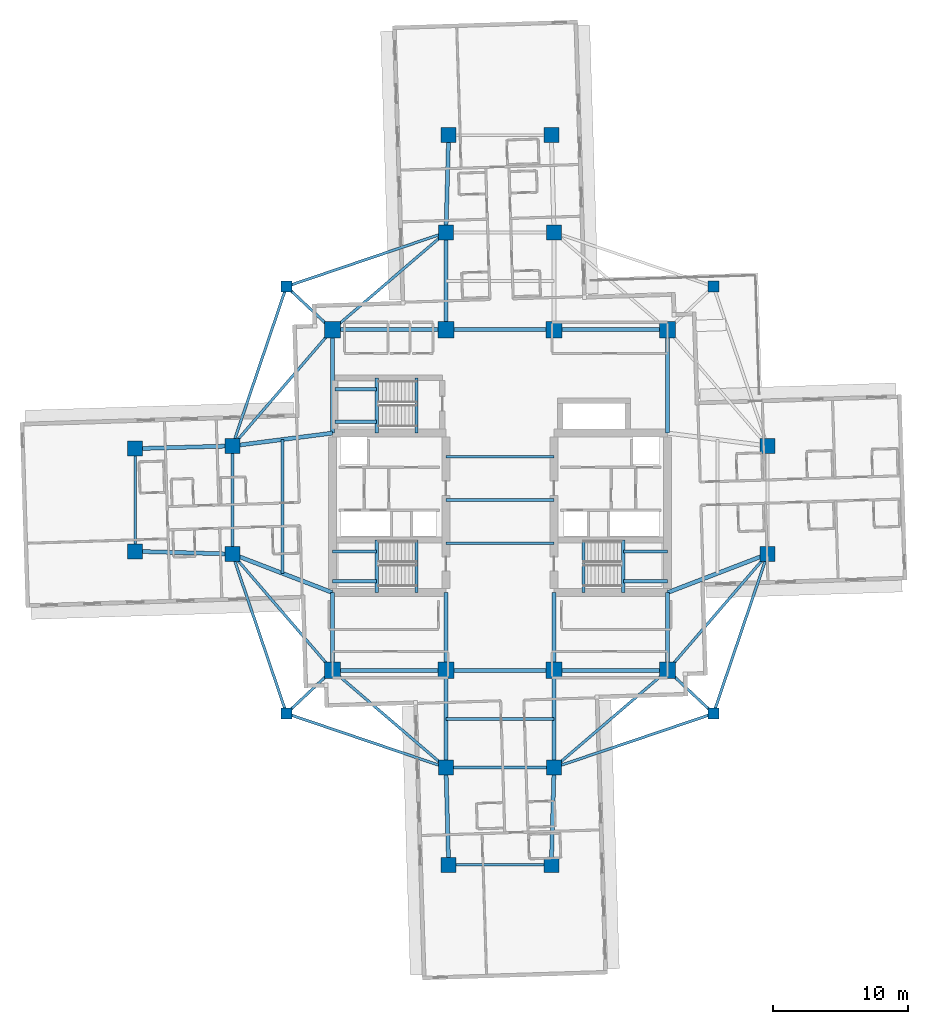
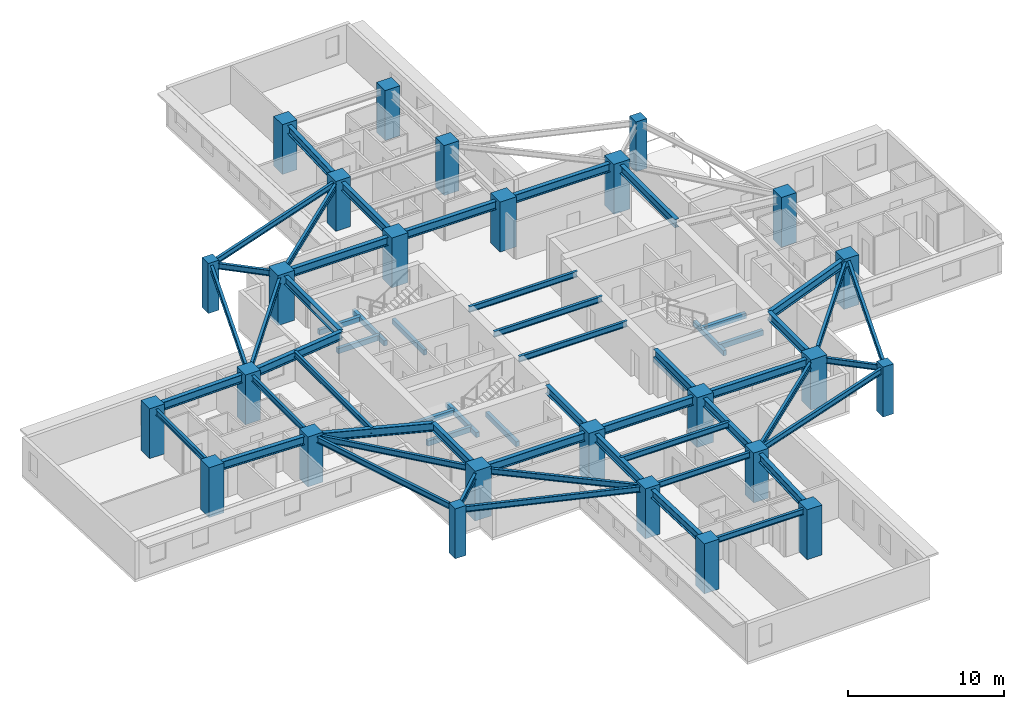
# One storey, part 1 of 14: 59 beams, 26 columns.
"""IFC4 building model written with IfcOpenShell, lengths in metres."""

import ifcopenshell
import ifcopenshell.guid

model = None  # the IFC model being written
_history = None  # IfcOwnerHistory: only IFC2X3 demands one
_inside = {}  # id of a spatial element -> (the spatial element, [elements in it])
_under = {}  # id of a project, library or spatial element -> (it, [spatial elements below it])
_declared = {}  # id of a project -> (the project, [libraries it declares])
_typed = {}  # id of a type object -> (the type object, [elements of that type])
_made_of = {}  # id of a material, layer set ... -> (it, [elements and type objects made of it])


def new_model(schema):
    """Start an empty IFC model of exactly this schema.

    Asked for "IFC4X3", IfcOpenShell would pick the latest addendum, in which some entities
    have other attributes; the version numbers below select the first issue.
    IFC2X3 requires an IfcOwnerHistory on every rooted entity: one is made here for all.
    """
    global model, _history
    if schema == "IFC4X3":
        model = ifcopenshell.file(schema_version=(4, 3, 0, 0))
    else:
        model = ifcopenshell.file(schema=schema)
    _inside.clear()
    _under.clear()
    _declared.clear()
    _typed.clear()
    _made_of.clear()
    _history = None
    if model.schema == "IFC2X3":
        org = make("IfcOrganization", Name="unknown")
        user = make(
            "IfcPersonAndOrganization",
            ThePerson=make("IfcPerson", FamilyName="unknown"),
            TheOrganization=org,
        )
        app = make(
            "IfcApplication",
            ApplicationDeveloper=org,
            Version="unknown",
            ApplicationFullName="unknown",
            ApplicationIdentifier="unknown",
        )
        _history = make(
            "IfcOwnerHistory",
            OwningUser=user,
            OwningApplication=app,
            ChangeAction="ADDED",
            CreationDate=0,
        )
    return model


def make(cls, **values):
    """One entity of the class cls with the attributes given. An attribute that is None is left unset."""
    return model.create_entity(
        cls, **{name: value for name, value in values.items() if value is not None}
    )


def rooted(cls, **values):
    """An entity with a GlobalId (a new one), such as an element, a storey or a relation."""
    return make(cls, GlobalId=ifcopenshell.guid.new(), OwnerHistory=_history, **values)


def si_unit(unit_type, name, prefix=None):
    """IfcSIUnit, for example si_unit("LENGTHUNIT", "METRE", prefix="MILLI")."""
    return make("IfcSIUnit", UnitType=unit_type, Prefix=prefix, Name=name)


def assignment(units):
    """IfcUnitAssignment: the units of a project."""
    return None if units is None else make("IfcUnitAssignment", Units=units)


def point(xyz):
    """IfcCartesianPoint."""
    return None if xyz is None else make("IfcCartesianPoint", Coordinates=xyz)


def direction(xyz):
    """IfcDirection."""
    return None if xyz is None else make("IfcDirection", DirectionRatios=xyz)


def frame(location, z_axis=None, x_axis=None):
    """IfcAxis2Placement3D, a coordinate frame: its origin and axes. An axis left out is left unset."""
    return make(
        "IfcAxis2Placement3D",
        Location=point(location),
        Axis=direction(z_axis),
        RefDirection=direction(x_axis),
    )


def frame_2d(location, x_axis=None):
    """IfcAxis2Placement2D, a coordinate frame in the plane: its origin and x axis."""
    return make(
        "IfcAxis2Placement2D", Location=point(location), RefDirection=direction(x_axis)
    )


def origin():
    """The frame at (0, 0, 0) with its axes left unset."""
    return frame((0.0, 0.0, 0.0))


def origin_2d():
    """The frame at (0, 0) in the plane with its x axis left unset."""
    return frame_2d((0.0, 0.0))


def place(relative_to, where):
    """IfcLocalPlacement: puts the frame where relative to a parent placement (None: the world)."""
    return make(
        "IfcLocalPlacement", PlacementRelTo=relative_to, RelativePlacement=where
    )


def context(
    kind, dimensions, precision=None, world=None, true_north=None, identifier=None
):
    """IfcGeometricRepresentationContext, for example the 3D "Model" context."""
    return make(
        "IfcGeometricRepresentationContext",
        ContextIdentifier=identifier,
        ContextType=kind,
        CoordinateSpaceDimension=dimensions,
        Precision=precision,
        WorldCoordinateSystem=world,
        TrueNorth=true_north,
    )


def subcontext(parent, identifier, kind, view, scale=None):
    """IfcGeometricRepresentationSubContext, for example "Body" below "Model"."""
    return make(
        "IfcGeometricRepresentationSubContext",
        ContextIdentifier=identifier,
        ContextType=kind,
        ParentContext=parent,
        TargetScale=scale,
        TargetView=view,
    )


def project(units=None, contexts=None):
    """IfcProject with its units and contexts."""
    return rooted(
        "IfcProject",
        Name="project",
        RepresentationContexts=contexts,
        UnitsInContext=assignment(units),
    )


def spatial(cls, under=None, at=None, **own):
    """A site, building, storey or space (cls), placed at a placement, below another one or the project."""
    s = rooted(cls, ObjectPlacement=at, **own)
    if under is not None:
        _under.setdefault(under.id(), (under, []))[1].append(s)
    return s


def profile(cls, at=None, kind="AREA", **sizes):
    """A parametric profile (cls). Its sizes go by their IFC names, for example OverallWidth=200.0."""
    return make(cls, ProfileType=kind, Position=at, **sizes)


def rectangle(**sizes):
    """IfcRectangleProfileDef."""
    return profile("IfcRectangleProfileDef", **sizes)


def i_section(**sizes):
    """IfcIShapeProfileDef."""
    return profile("IfcIShapeProfileDef", **sizes)


def extrude(swept, where, along, depth):
    """IfcExtrudedAreaSolid: the profile swept, set in the frame where, extruded along a direction by depth."""
    return make(
        "IfcExtrudedAreaSolid",
        SweptArea=swept,
        Position=where,
        ExtrudedDirection=direction(along),
        Depth=depth,
    )


def shape(context_of_items, identifier, shape_type, items):
    """IfcShapeRepresentation: the items that make up one representation, for example the "Body"."""
    return make(
        "IfcShapeRepresentation",
        ContextOfItems=context_of_items,
        RepresentationIdentifier=identifier,
        RepresentationType=shape_type,
        Items=items,
    )


def material(Name=None, Category=None):
    """IfcMaterial."""
    return make("IfcMaterial", Name=Name, Category=Category)


def material_profile(
    of_material, cross_section, Name=None, Category=None, Priority=None
):
    """IfcMaterialProfile: a cross section and its material."""
    return make(
        "IfcMaterialProfile",
        Name=Name,
        Material=of_material,
        Profile=cross_section,
        Priority=Priority,
        Category=Category,
    )


def profile_set(profiles, Name=None, composite=None):
    """IfcMaterialProfileSet."""
    return make(
        "IfcMaterialProfileSet",
        Name=Name,
        MaterialProfiles=profiles,
        CompositeProfile=composite,
    )


def made_of(thing, what):
    """Note that an element or type object is made of a material, layer set ...; save() writes the relation."""
    if what is not None:
        _made_of.setdefault(what.id(), (what, []))[1].append(thing)
    return thing


def type_object(cls, material=None, **own):
    """A type object (cls), such as IfcWallType, which elements share."""
    return made_of(rooted(cls, **own), material)


def element(
    cls,
    number,
    at=None,
    inside=None,
    cuts=None,
    type_object=None,
    material=None,
    context=None,
    identifier="Body",
    shape_type=None,
    held_by="IfcProductDefinitionShape",
    body=None,
    shapes=None,
    **own,
):
    """One element of the class cls, such as IfcWall. Its Tag is "e" and its number.

    at: its placement. inside: the storey or other place that contains it. cuts: it is an
    opening in that element (IfcRelVoidsElement). A single representation is given by context,
    identifier, shape_type and body (its items); several are given by shapes. held_by: the class
    of the entity that holds the representations. save() writes the other relations.
    """
    e = rooted(cls, Tag="e%d" % number, ObjectPlacement=at, **own)
    if body is not None:
        shapes = [shape(context, identifier, shape_type, body)]
    if shapes is not None:
        e.Representation = make(held_by, Representations=shapes)
    if inside is not None:
        _inside.setdefault(inside.id(), (inside, []))[1].append(e)
    if cuts is not None:
        rooted(
            "IfcRelVoidsElement", RelatingBuildingElement=cuts, RelatedOpeningElement=e
        )
    if type_object is not None:
        _typed.setdefault(type_object.id(), (type_object, []))[1].append(e)
    return made_of(e, material)


def aggregate(whole, parts):
    """IfcRelAggregates: a whole, such as a stair, and the parts it consists of."""
    return rooted("IfcRelAggregates", RelatingObject=whole, RelatedObjects=parts)


def save(model, path):
    """Write the relations noted so far, then the file.

    IfcRelAggregates (storeys below a building ...), IfcRelContainedInSpatialStructure (elements
    in a storey), IfcRelDefinesByType, IfcRelAssociatesMaterial and IfcRelDeclares: one each for
    every whole, place, type object, material and project.
    """
    for whole, parts in _under.values():
        aggregate(whole, parts)
    for where, things in _inside.values():
        rooted(
            "IfcRelContainedInSpatialStructure",
            RelatedElements=things,
            RelatingStructure=where,
        )
    for kind, things in _typed.values():
        rooted("IfcRelDefinesByType", RelatedObjects=things, RelatingType=kind)
    for what, things in _made_of.values():
        rooted("IfcRelAssociatesMaterial", RelatedObjects=things, RelatingMaterial=what)
    for by, libraries in _declared.values():
        rooted("IfcRelDeclares", RelatingContext=by, RelatedDefinitions=libraries)
    model.write(path)


model = new_model("IFC4")

# Units and contexts
model_context = context("Model", 3, precision=1e-05, world=origin(), true_north=direction((0.0, 1.0)))
body_context = subcontext(model_context, "Body", "Model", "MODEL_VIEW")
ifc_project = project(units=[si_unit("LENGTHUNIT", "METRE"), si_unit("AREAUNIT", "SQUARE_METRE"), si_unit("VOLUMEUNIT", "CUBIC_METRE"), si_unit("PLANEANGLEUNIT", "RADIAN"), si_unit("MASSUNIT", "GRAM", prefix="KILO")], contexts=[model_context])

# Site, building, storey
site_placement = place(None, origin())
site = spatial("IfcSite", under=ifc_project, at=site_placement, CompositionType="ELEMENT")
building_placement = place(site_placement, origin())
building = spatial("IfcBuilding", under=site, at=building_placement, Name="Qingluan Cross Belvedere", CompositionType="ELEMENT")
storey_placement = place(building_placement, frame((0.0, 0.0, 135.89990234375)))
storey = spatial("IfcBuildingStorey", under=building, at=storey_placement, Name="L34", CompositionType="ELEMENT", Elevation=135.89990234375)

# Columns
ifc_material_1 = material(Name="Concrete C60", Category="concrete")
ifc_material_profile_1 = material_profile(ifc_material_1, rectangle(XDim=1.10009765625, YDim=1.10009765625, at=origin_2d()), Name="RC1100x1100")
ifc_profile_set_1 = profile_set([ifc_material_profile_1], Name="Concrete C60")
column_type_1 = type_object("IfcColumnType", Name="Column_RC1100x1100", PredefinedType="COLUMN", material=ifc_profile_set_1)
for number, where, z_axis, x_axis, name in (
    (1, (19.800048828125, -4.0, 0.0), (0.0, 0.0, 1.0), (1.0, 0.0, 0.0), "Arm column L34-EIA"),
    (2, (19.800048828125, 4.0, 0.0), (0.0, 0.0, 1.0), (1.0, 0.0, 0.0), "Arm column L34-EIB"),
    (3, (-19.800048828125, -4.0, 0.0), (0.0, 0.0, 1.0), (1.0, 0.0, 0.0), "Arm column L34-WIA"),
    (4, (-19.800048828125, 4.0, 0.0), (0.0, 0.0, 1.0), (1.0, 0.0, 0.0), "Arm column L34-WIB"),
    (5, (-4.0, -19.800048828125, 0.0), (0.0, 0.0, 1.0), (1.0, 0.0, 0.0), "Arm column L34-SIA"),
    (6, (4.0, -19.800048828125, 0.0), (0.0, 0.0, 1.0), (1.0, 0.0, 0.0), "Arm column L34-SIB"),
    (7, (-4.0, 19.800048828125, 0.0), (0.0, 0.0, 1.0), (1.0, 0.0, 0.0), "Arm column L34-NIA"),
    (8, (4.0, 19.800048828125, 0.0), (0.0, 0.0, 1.0), (1.0, 0.0, 0.0), "Arm column L34-NIB"),
    (9, (-27.0, -3.800048828125, 0.0), (0.0, 0.0, 1.0), (1.0, 0.0, 0.0), "Arm column L34-WOA"),
    (10, (-27.0, 3.800048828125, 0.0), (0.0, 0.0, 1.0), (1.0, 0.0, 0.0), "Arm column L34-WOB"),
    (11, (-3.800048828125, -27.0, 0.0), (0.0, 0.0, 1.0), (1.0, 0.0, 0.0), "Arm column L34-SOA"),
    (12, (3.800048828125, -27.0, 0.0), (0.0, 0.0, 1.0), (1.0, 0.0, 0.0), "Arm column L34-SOB"),
    (13, (-3.800048828125, 27.0, 0.0), (0.0, 0.0, 1.0), (1.0, 0.0, 0.0), "Arm column L34-NOA"),
    (14, (3.800048828125, 27.0, 0.0), (0.0, 0.0, 1.0), (1.0, 0.0, 0.0), "Arm column L34-NOB"),
):
    element("IfcColumn", number, at=place(storey_placement, frame(where, z_axis=z_axis, x_axis=x_axis)), inside=storey, type_object=column_type_1, Name=name, PredefinedType="COLUMN", context=body_context, shape_type="SweptSolid", body=[
        extrude(rectangle(XDim=1.10009765625, YDim=1.10009765625, at=origin_2d()), origin(), (0.0, 0.0, 1.0), 3.900146484375),
    ])
ifc_material_2 = material(Name="Concrete C60", Category="concrete")
ifc_material_profile_2 = material_profile(ifc_material_2, rectangle(XDim=1.199951171875, YDim=1.199951171875, at=origin_2d()), Name="RC1200x1200")
ifc_profile_set_2 = profile_set([ifc_material_profile_2], Name="Concrete C60")
column_type_2 = type_object("IfcColumnType", Name="Column_RC1200x1200", PredefinedType="COLUMN", material=ifc_profile_set_2)
for number, where, z_axis, x_axis, name in (
    (15, (-12.39990234375, -12.60009765625, 0.0), (0.0, 0.0, 1.0), (1.0, 0.0, 0.0), "Hub column L34-HC1"),
    (16, (12.39990234375, -12.60009765625, 0.0), (0.0, 0.0, 1.0), (1.0, 0.0, 0.0), "Hub column L34-HC2"),
    (17, (12.39990234375, 12.60009765625, 0.0), (0.0, 0.0, 1.0), (1.0, 0.0, 0.0), "Hub column L34-HC3"),
    (18, (-12.39990234375, 12.60009765625, 0.0), (0.0, 0.0, 1.0), (1.0, 0.0, 0.0), "Hub column L34-HC4"),
    (19, (-4.0, -12.60009765625, 0.0), (0.0, 0.0, 1.0), (1.0, 0.0, 0.0), "Hub column L34-HC5"),
    (20, (4.0, -12.60009765625, 0.0), (0.0, 0.0, 1.0), (1.0, 0.0, 0.0), "Hub column L34-HC6"),
    (21, (4.0, 12.60009765625, 0.0), (0.0, 0.0, 1.0), (1.0, 0.0, 0.0), "Hub column L34-HC7"),
    (22, (-4.0, 12.60009765625, 0.0), (0.0, 0.0, 1.0), (1.0, 0.0, 0.0), "Hub column L34-HC8"),
):
    element("IfcColumn", number, at=place(storey_placement, frame(where, z_axis=z_axis, x_axis=x_axis)), inside=storey, type_object=column_type_2, Name=name, PredefinedType="COLUMN", context=body_context, shape_type="SweptSolid", body=[
        extrude(rectangle(XDim=1.199951171875, YDim=1.199951171875, at=origin_2d()), origin(), (0.0, 0.0, 1.0), 3.900146484375),
    ])
ifc_material_3 = material(Name="Concrete C50", Category="concrete")
ifc_material_profile_3 = material_profile(ifc_material_3, rectangle(XDim=0.800048828125, YDim=0.800048828125, at=origin_2d()), Name="RC800x800")
ifc_profile_set_3 = profile_set([ifc_material_profile_3], Name="Concrete C50")
column_type_3 = type_object("IfcColumnType", Name="Column_RC800x800", PredefinedType="COLUMN", material=ifc_profile_set_3)
for number, where, z_axis, x_axis, name in (
    (23, (15.800048828125, 15.800048828125, 0.0), (0.0, 0.0, 1.0), (1.0, 0.0, 0.0), "Corner column L34-RNE"),
    (24, (-15.800048828125, 15.800048828125, 0.0), (0.0, 0.0, 1.0), (1.0, 0.0, 0.0), "Corner column L34-RNW"),
    (25, (-15.800048828125, -15.800048828125, 0.0), (0.0, 0.0, 1.0), (1.0, 0.0, 0.0), "Corner column L34-RSW"),
    (26, (15.800048828125, -15.800048828125, 0.0), (0.0, 0.0, 1.0), (1.0, 0.0, 0.0), "Corner column L34-RSE"),
):
    element("IfcColumn", number, at=place(storey_placement, frame(where, z_axis=z_axis, x_axis=x_axis)), inside=storey, type_object=column_type_3, Name=name, PredefinedType="COLUMN", context=body_context, shape_type="SweptSolid", body=[
        extrude(rectangle(XDim=0.800048828125, YDim=0.800048828125, at=origin_2d()), origin(), (0.0, 0.0, 1.0), 3.900146484375),
    ])

# Beams
ifc_material_4 = material(Name="Concrete C45", Category="concrete")
ifc_material_profile_4 = material_profile(ifc_material_4, rectangle(XDim=0.25, YDim=0.39990234375, at=origin_2d()), Name="RC250x400")
ifc_profile_set_4 = profile_set([ifc_material_profile_4], Name="Concrete C45")
beam_type_1 = type_object("IfcBeamType", Name="RC_Lintel_RC250x400", PredefinedType="LINTEL", material=ifc_profile_set_4)
for number, where, z_axis, x_axis, name in (
    (27, (-6.179931640625, -6.85009765625, -0.199951171875), (0.0, 1.0, 0.0), (-1.0, 0.0, 0.0), "Stair ST1 landing beam L34"),
    (28, (6.179931640625, -6.85009765625, -0.199951171875), (0.0, 1.0, 0.0), (-1.0, 0.0, 0.0), "Stair ST2 landing beam L34"),
):
    element("IfcBeam", number, at=place(storey_placement, frame(where, z_axis=z_axis, x_axis=x_axis)), inside=storey, type_object=beam_type_1, Name=name, PredefinedType="LINTEL", context=body_context, shape_type="SweptSolid", body=[
        extrude(rectangle(XDim=0.25, YDim=0.39990234375, at=origin_2d()), origin(), (0.0, 0.0, 1.0), 3.89013671875),
    ])
beam_1_placement = place(storey_placement, frame((-6.179931640625, 4.949951171875, -0.199951171875), z_axis=(0.0, 1.0, 0.0), x_axis=(-1.0, 0.0, 0.0)))
element("IfcBeam", 29, at=beam_1_placement, inside=storey, type_object=beam_type_1, Name="Stair ST3 landing beam L34", PredefinedType="LINTEL", context=body_context, shape_type="SweptSolid", body=[
    extrude(rectangle(XDim=0.25, YDim=0.39990234375, at=origin_2d()), origin(), (0.0, 0.0, 1.0), 4.090087890625),
])
beam_2_placement = place(storey_placement, frame((-9.1298828125, -6.85009765625, 1.550048828125), z_axis=(0.0, 1.0, 0.0), x_axis=(-1.0, 0.0, 0.0)))
element("IfcBeam", 30, at=beam_2_placement, inside=storey, type_object=beam_type_1, Name="Stair ST1 beam A L34", PredefinedType="LINTEL", context=body_context, shape_type="SweptSolid", body=[
    extrude(rectangle(XDim=0.25, YDim=0.39990234375, at=origin_2d()), origin(), (0.0, 0.0, 1.0), 3.89013671875),
])
for number, where, z_axis, x_axis, name in (
    (31, (-12.39990234375, -6.0, 1.550048828125), (1.0, 0.0, 0.0), (0.0, 1.0, 0.0), "Stair ST1 beam B L34"),
    (32, (-12.39990234375, -3.81005859375, 1.550048828125), (1.0, 0.0, 0.0), (0.0, 1.0, 0.0), "Stair ST1 beam C L34"),
):
    element("IfcBeam", number, at=place(storey_placement, frame(where, z_axis=z_axis, x_axis=x_axis)), inside=storey, type_object=beam_type_1, Name=name, PredefinedType="LINTEL", context=body_context, shape_type="SweptSolid", body=[
        extrude(rectangle(XDim=0.25, YDim=0.39990234375, at=origin_2d()), origin(), (0.0, 0.0, 1.0), 3.27001953125),
    ])
beam_3_placement = place(storey_placement, frame((9.1298828125, -6.85009765625, 1.550048828125), z_axis=(0.0, 1.0, 0.0), x_axis=(-1.0, 0.0, 0.0)))
element("IfcBeam", 33, at=beam_3_placement, inside=storey, type_object=beam_type_1, Name="Stair ST2 beam A L34", PredefinedType="LINTEL", context=body_context, shape_type="SweptSolid", body=[
    extrude(rectangle(XDim=0.25, YDim=0.39990234375, at=origin_2d()), origin(), (0.0, 0.0, 1.0), 3.89013671875),
])
for number, where, z_axis, x_axis, name in (
    (34, (12.39990234375, -6.0, 1.550048828125), (-1.0, 0.0, 0.0), (0.0, -1.0, 0.0), "Stair ST2 beam B L34"),
    (35, (12.39990234375, -3.81005859375, 1.550048828125), (-1.0, 0.0, 0.0), (0.0, -1.0, 0.0), "Stair ST2 beam C L34"),
):
    element("IfcBeam", number, at=place(storey_placement, frame(where, z_axis=z_axis, x_axis=x_axis)), inside=storey, type_object=beam_type_1, Name=name, PredefinedType="LINTEL", context=body_context, shape_type="SweptSolid", body=[
        extrude(rectangle(XDim=0.25, YDim=0.39990234375, at=origin_2d()), origin(), (0.0, 0.0, 1.0), 3.27001953125),
    ])
beam_4_placement = place(storey_placement, frame((-9.1298828125, 4.949951171875, 1.550048828125), z_axis=(0.0, 1.0, 0.0), x_axis=(-1.0, 0.0, 0.0)))
element("IfcBeam", 36, at=beam_4_placement, inside=storey, type_object=beam_type_1, Name="Stair ST3 beam A L34", PredefinedType="LINTEL", context=body_context, shape_type="SweptSolid", body=[
    extrude(rectangle(XDim=0.25, YDim=0.39990234375, at=origin_2d()), origin(), (0.0, 0.0, 1.0), 4.090087890625),
])
for number, where, z_axis, x_axis, name in (
    (37, (-12.219970703125, 5.800048828125, 1.550048828125), (1.0, 0.0, 0.0), (0.0, 1.0, 0.0), "Stair ST3 beam B L34"),
    (38, (-12.219970703125, 8.18994140625, 1.550048828125), (1.0, 0.0, 0.0), (0.0, 1.0, 0.0), "Stair ST3 beam C L34"),
):
    element("IfcBeam", number, at=place(storey_placement, frame(where, z_axis=z_axis, x_axis=x_axis)), inside=storey, type_object=beam_type_1, Name=name, PredefinedType="LINTEL", context=body_context, shape_type="SweptSolid", body=[
        extrude(rectangle(XDim=0.25, YDim=0.39990234375, at=origin_2d()), origin(), (0.0, 0.0, 1.0), 3.090087890625),
    ])
ifc_material_5 = material(Name="Steel Q420GJB", Category="steel")
ifc_material_profile_5 = material_profile(ifc_material_5, i_section(OverallWidth=0.199951171875, OverallDepth=0.449951171875, WebThickness=0.009033203125, FlangeThickness=0.013916015625, FilletRadius=0.01611328125, at=origin_2d()), Name="HN450x200x9x14")
ifc_profile_set_5 = profile_set([ifc_material_profile_5], Name="Steel Q420GJB")
beam_type_2 = type_object("IfcBeamType", Name="Steel_Beam_HN450x200x9x14", PredefinedType="JOIST", material=ifc_profile_set_5)
beam_5_placement = place(storey_placement, frame((-12.39990234375, 12.60009765625, 3.455078125), z_axis=(-0.728219948308, 0.685343495546, 0.0), x_axis=(-0.685343495546, -0.728219948308, 0.0)))
element("IfcBeam", 39, at=beam_5_placement, inside=storey, type_object=beam_type_2, Name="Corner beam 1 L34-RNW", PredefinedType="JOIST", context=body_context, shape_type="SweptSolid", body=[
    extrude(i_section(OverallWidth=0.199951171875, OverallDepth=0.449951171875, WebThickness=0.009033203125, FlangeThickness=0.013916015625, FilletRadius=0.01611328125, at=origin_2d()), origin(), (0.0, 0.0, 1.0), 4.669189453125),
])
for number, where, z_axis, x_axis, name in (
    (40, (-15.800048828125, 15.800048828125, 3.455078125), (0.947066283324, 0.321038089628, 0.0), (-0.321038089628, 0.947066283324, 0.0), "Corner beam 2 L34-RNW"),
    (41, (-15.800048828125, 15.800048828125, 3.455078125), (-0.321038089628, -0.947066283324, 0.0), (0.947066283324, -0.321038089628, 0.0), "Corner beam 3 L34-RNW"),
):
    element("IfcBeam", number, at=place(storey_placement, frame(where, z_axis=z_axis, x_axis=x_axis)), inside=storey, type_object=beam_type_2, Name=name, PredefinedType="JOIST", context=body_context, shape_type="SweptSolid", body=[
        extrude(i_section(OverallWidth=0.199951171875, OverallDepth=0.449951171875, WebThickness=0.009033203125, FlangeThickness=0.013916015625, FilletRadius=0.01611328125, at=origin_2d()), origin(), (0.0, 0.0, 1.0), 12.45947265625),
    ])
beam_6_placement = place(storey_placement, frame((-12.39990234375, 12.60009765625, 3.455078125), z_axis=(-0.652245077546, -0.75800815221, 0.0), x_axis=(0.75800815221, -0.652245077546, 0.0)))
element("IfcBeam", 42, at=beam_6_placement, inside=storey, type_object=beam_type_2, Name="Corner beam 4 L34-RNW", PredefinedType="JOIST", context=body_context, shape_type="SweptSolid", body=[
    extrude(i_section(OverallWidth=0.199951171875, OverallDepth=0.449951171875, WebThickness=0.009033203125, FlangeThickness=0.013916015625, FilletRadius=0.01611328125, at=origin_2d()), origin(), (0.0, 0.0, 1.0), 11.345703125),
])
beam_7_placement = place(storey_placement, frame((-12.39990234375, 12.60009765625, 3.455078125), z_axis=(0.759255044656, 0.650793190779, 0.0), x_axis=(-0.650793190779, 0.759255044656, 0.0)))
element("IfcBeam", 43, at=beam_7_placement, inside=storey, type_object=beam_type_2, Name="Corner beam 5 L34-RNW", PredefinedType="JOIST", context=body_context, shape_type="SweptSolid", body=[
    extrude(i_section(OverallWidth=0.199951171875, OverallDepth=0.449951171875, WebThickness=0.009033203125, FlangeThickness=0.013916015625, FilletRadius=0.01611328125, at=origin_2d()), origin(), (0.0, 0.0, 1.0), 11.063232421875),
])
beam_8_placement = place(storey_placement, frame((-12.39990234375, -12.60009765625, 3.47509765625), z_axis=(-0.728219948308, -0.685343495546, 0.0), x_axis=(0.685343495546, -0.728219948308, 0.0)))
element("IfcBeam", 44, at=beam_8_placement, inside=storey, type_object=beam_type_2, Name="Corner beam 1 L34-RSW", PredefinedType="JOIST", context=body_context, shape_type="SweptSolid", body=[
    extrude(i_section(OverallWidth=0.199951171875, OverallDepth=0.449951171875, WebThickness=0.009033203125, FlangeThickness=0.013916015625, FilletRadius=0.01611328125, at=origin_2d()), origin(), (0.0, 0.0, 1.0), 4.669189453125),
])
for number, where, z_axis, x_axis, name in (
    (45, (-15.800048828125, -15.800048828125, 3.47509765625), (0.947066283324, -0.321038089628, 0.0), (0.321038089628, 0.947066283324, 0.0), "Corner beam 2 L34-RSW"),
    (46, (-15.800048828125, -15.800048828125, 3.47509765625), (-0.321038089628, 0.947066283324, 0.0), (-0.947066283324, -0.321038089628, 0.0), "Corner beam 3 L34-RSW"),
):
    element("IfcBeam", number, at=place(storey_placement, frame(where, z_axis=z_axis, x_axis=x_axis)), inside=storey, type_object=beam_type_2, Name=name, PredefinedType="JOIST", context=body_context, shape_type="SweptSolid", body=[
        extrude(i_section(OverallWidth=0.199951171875, OverallDepth=0.449951171875, WebThickness=0.009033203125, FlangeThickness=0.013916015625, FilletRadius=0.01611328125, at=origin_2d()), origin(), (0.0, 0.0, 1.0), 12.45947265625),
    ])
beam_9_placement = place(storey_placement, frame((-12.39990234375, -12.60009765625, 3.47509765625), z_axis=(-0.652245077546, 0.75800815221, 0.0), x_axis=(-0.75800815221, -0.652245077546, 0.0)))
element("IfcBeam", 47, at=beam_9_placement, inside=storey, type_object=beam_type_2, Name="Corner beam 4 L34-RSW", PredefinedType="JOIST", context=body_context, shape_type="SweptSolid", body=[
    extrude(i_section(OverallWidth=0.199951171875, OverallDepth=0.449951171875, WebThickness=0.009033203125, FlangeThickness=0.013916015625, FilletRadius=0.01611328125, at=origin_2d()), origin(), (0.0, 0.0, 1.0), 11.345703125),
])
beam_10_placement = place(storey_placement, frame((-12.39990234375, -12.60009765625, 3.47509765625), z_axis=(0.759255044656, -0.650793190779, 0.0), x_axis=(0.650793190779, 0.759255044656, 0.0)))
element("IfcBeam", 48, at=beam_10_placement, inside=storey, type_object=beam_type_2, Name="Corner beam 5 L34-RSW", PredefinedType="JOIST", context=body_context, shape_type="SweptSolid", body=[
    extrude(i_section(OverallWidth=0.199951171875, OverallDepth=0.449951171875, WebThickness=0.009033203125, FlangeThickness=0.013916015625, FilletRadius=0.01611328125, at=origin_2d()), origin(), (0.0, 0.0, 1.0), 11.063232421875),
])
beam_11_placement = place(storey_placement, frame((12.39990234375, -12.60009765625, 3.47509765625), z_axis=(0.728219948308, -0.685343495546, 0.0), x_axis=(0.685343495546, 0.728219948308, 0.0)))
element("IfcBeam", 49, at=beam_11_placement, inside=storey, type_object=beam_type_2, Name="Corner beam 1 L34-RSE", PredefinedType="JOIST", context=body_context, shape_type="SweptSolid", body=[
    extrude(i_section(OverallWidth=0.199951171875, OverallDepth=0.449951171875, WebThickness=0.009033203125, FlangeThickness=0.013916015625, FilletRadius=0.01611328125, at=origin_2d()), origin(), (0.0, 0.0, 1.0), 4.669189453125),
])
for number, where, z_axis, x_axis, name in (
    (50, (15.800048828125, -15.800048828125, 3.47509765625), (-0.947066283324, -0.321038089628, 0.0), (0.321038089628, -0.947066283324, 0.0), "Corner beam 2 L34-RSE"),
    (51, (15.800048828125, -15.800048828125, 3.47509765625), (0.321038089628, 0.947066283324, 0.0), (-0.947066283324, 0.321038089628, 0.0), "Corner beam 3 L34-RSE"),
):
    element("IfcBeam", number, at=place(storey_placement, frame(where, z_axis=z_axis, x_axis=x_axis)), inside=storey, type_object=beam_type_2, Name=name, PredefinedType="JOIST", context=body_context, shape_type="SweptSolid", body=[
        extrude(i_section(OverallWidth=0.199951171875, OverallDepth=0.449951171875, WebThickness=0.009033203125, FlangeThickness=0.013916015625, FilletRadius=0.01611328125, at=origin_2d()), origin(), (0.0, 0.0, 1.0), 12.45947265625),
    ])
beam_12_placement = place(storey_placement, frame((12.39990234375, -12.60009765625, 3.47509765625), z_axis=(0.652245077546, 0.75800815221, 0.0), x_axis=(-0.75800815221, 0.652245077546, 0.0)))
element("IfcBeam", 52, at=beam_12_placement, inside=storey, type_object=beam_type_2, Name="Corner beam 4 L34-RSE", PredefinedType="JOIST", context=body_context, shape_type="SweptSolid", body=[
    extrude(i_section(OverallWidth=0.199951171875, OverallDepth=0.449951171875, WebThickness=0.009033203125, FlangeThickness=0.013916015625, FilletRadius=0.01611328125, at=origin_2d()), origin(), (0.0, 0.0, 1.0), 11.345703125),
])
beam_13_placement = place(storey_placement, frame((12.39990234375, -12.60009765625, 3.47509765625), z_axis=(-0.759255044656, -0.650793190779, 0.0), x_axis=(0.650793190779, -0.759255044656, 0.0)))
element("IfcBeam", 53, at=beam_13_placement, inside=storey, type_object=beam_type_2, Name="Corner beam 5 L34-RSE", PredefinedType="JOIST", context=body_context, shape_type="SweptSolid", body=[
    extrude(i_section(OverallWidth=0.199951171875, OverallDepth=0.449951171875, WebThickness=0.009033203125, FlangeThickness=0.013916015625, FilletRadius=0.01611328125, at=origin_2d()), origin(), (0.0, 0.0, 1.0), 11.063232421875),
])
for number, where, z_axis, x_axis, name in (
    (54, (-4.0, -3.199951171875, 3.47509765625), (1.0, 0.0, 0.0), (0.0, 1.0, 0.0), "Hall beam L34-CH1"),
    (55, (-4.0, 0.0, 3.47509765625), (1.0, 0.0, 0.0), (0.0, 1.0, 0.0), "Hall beam L34-CH2"),
    (56, (-4.0, 3.199951171875, 3.47509765625), (1.0, 0.0, 0.0), (0.0, 1.0, 0.0), "Hall beam L34-CH3"),
    (57, (-19.800048828125, -4.0, 3.47509765625), (0.0, 1.0, 0.0), (-1.0, 0.0, 0.0), "Arm W tie L34"),
):
    element("IfcBeam", number, at=place(storey_placement, frame(where, z_axis=z_axis, x_axis=x_axis)), inside=storey, type_object=beam_type_2, Name=name, PredefinedType="JOIST", context=body_context, shape_type="SweptSolid", body=[
        extrude(i_section(OverallWidth=0.199951171875, OverallDepth=0.449951171875, WebThickness=0.009033203125, FlangeThickness=0.013916015625, FilletRadius=0.01611328125, at=origin_2d()), origin(), (0.0, 0.0, 1.0), 8.0),
    ])
beam_14_placement = place(storey_placement, frame((-16.10009765625, -5.425048828125, 3.47509765625), z_axis=(0.0, 1.0, 0.0), x_axis=(-1.0, 0.0, 0.0)))
element("IfcBeam", 58, at=beam_14_placement, inside=storey, type_object=beam_type_2, Name="Arm W beam L34", PredefinedType="JOIST", context=body_context, shape_type="SweptSolid", body=[
    extrude(i_section(OverallWidth=0.199951171875, OverallDepth=0.449951171875, WebThickness=0.009033203125, FlangeThickness=0.013916015625, FilletRadius=0.01611328125, at=origin_2d()), origin(), (0.0, 0.0, 1.0), 9.900146484375),
])
beam_15_placement = place(storey_placement, frame((-27.0, -3.800048828125, 3.47509765625), z_axis=(0.0, 1.0, 0.0), x_axis=(-1.0, 0.0, 0.0)))
element("IfcBeam", 59, at=beam_15_placement, inside=storey, type_object=beam_type_2, Name="Arm W tip transverse beam L34", PredefinedType="JOIST", context=body_context, shape_type="SweptSolid", body=[
    extrude(i_section(OverallWidth=0.199951171875, OverallDepth=0.449951171875, WebThickness=0.009033203125, FlangeThickness=0.013916015625, FilletRadius=0.01611328125, at=origin_2d()), origin(), (0.0, 0.0, 1.0), 7.60009765625),
])
for number, where, z_axis, x_axis, name in (
    (60, (-4.0, -19.800048828125, 3.47509765625), (1.0, 0.0, 0.0), (0.0, 1.0, 0.0), "Arm S tie L34"),
    (61, (-4.0, -16.199951171875, 3.47509765625), (1.0, 0.0, 0.0), (0.0, 1.0, 0.0), "Arm S beam L34"),
):
    element("IfcBeam", number, at=place(storey_placement, frame(where, z_axis=z_axis, x_axis=x_axis)), inside=storey, type_object=beam_type_2, Name=name, PredefinedType="JOIST", context=body_context, shape_type="SweptSolid", body=[
        extrude(i_section(OverallWidth=0.199951171875, OverallDepth=0.449951171875, WebThickness=0.009033203125, FlangeThickness=0.013916015625, FilletRadius=0.01611328125, at=origin_2d()), origin(), (0.0, 0.0, 1.0), 8.0),
    ])
beam_16_placement = place(storey_placement, frame((-3.800048828125, -27.0, 3.47509765625), z_axis=(1.0, 0.0, 0.0), x_axis=(0.0, 1.0, 0.0)))
element("IfcBeam", 62, at=beam_16_placement, inside=storey, type_object=beam_type_2, Name="Arm S tip transverse beam L34", PredefinedType="JOIST", context=body_context, shape_type="SweptSolid", body=[
    extrude(i_section(OverallWidth=0.199951171875, OverallDepth=0.449951171875, WebThickness=0.009033203125, FlangeThickness=0.013916015625, FilletRadius=0.01611328125, at=origin_2d()), origin(), (0.0, 0.0, 1.0), 7.60009765625),
])
ifc_material_6 = material(Name="Steel Q420GJB", Category="steel")
ifc_material_profile_6 = material_profile(ifc_material_6, i_section(OverallWidth=0.300048828125, OverallDepth=0.64990234375, WebThickness=0.014404296875, FlangeThickness=0.02587890625, FilletRadius=0.027099609375, at=origin_2d()), Name="HEB650")
ifc_profile_set_6 = profile_set([ifc_material_profile_6], Name="Steel Q420GJB")
beam_type_3 = type_object("IfcBeamType", Name="Steel_Girder_HEB650", PredefinedType="USERDEFINED", material=ifc_profile_set_6)
beam_17_placement = place(storey_placement, frame((-12.39990234375, -12.60009765625, 3.375), z_axis=(1.0, 0.0, 0.0), x_axis=(0.0, 1.0, 0.0)))
element("IfcBeam", 63, at=beam_17_placement, inside=storey, type_object=beam_type_3, Name="Hub girder L34-HG-S1", ObjectType="GIRDER", PredefinedType="USERDEFINED", context=body_context, shape_type="SweptSolid", body=[
    extrude(i_section(OverallWidth=0.300048828125, OverallDepth=0.64990234375, WebThickness=0.014404296875, FlangeThickness=0.02587890625, FilletRadius=0.027099609375, at=origin_2d()), origin(), (0.0, 0.0, 1.0), 8.39990234375),
])
beam_18_placement = place(storey_placement, frame((-4.0, -12.60009765625, 3.375), z_axis=(1.0, 0.0, 0.0), x_axis=(0.0, 1.0, 0.0)))
element("IfcBeam", 64, at=beam_18_placement, inside=storey, type_object=beam_type_3, Name="Hub girder L34-HG-S2", ObjectType="GIRDER", PredefinedType="USERDEFINED", context=body_context, shape_type="SweptSolid", body=[
    extrude(i_section(OverallWidth=0.300048828125, OverallDepth=0.64990234375, WebThickness=0.014404296875, FlangeThickness=0.02587890625, FilletRadius=0.027099609375, at=origin_2d()), origin(), (0.0, 0.0, 1.0), 8.0),
])
for number, where, z_axis, x_axis, name in (
    (65, (4.0, -12.60009765625, 3.375), (1.0, 0.0, 0.0), (0.0, 1.0, 0.0), "Hub girder L34-HG-S3"),
    (66, (-12.39990234375, 12.60009765625, 3.375), (1.0, 0.0, 0.0), (0.0, 1.0, 0.0), "Hub girder L34-HG-N1"),
):
    element("IfcBeam", number, at=place(storey_placement, frame(where, z_axis=z_axis, x_axis=x_axis)), inside=storey, type_object=beam_type_3, Name=name, ObjectType="GIRDER", PredefinedType="USERDEFINED", context=body_context, shape_type="SweptSolid", body=[
        extrude(i_section(OverallWidth=0.300048828125, OverallDepth=0.64990234375, WebThickness=0.014404296875, FlangeThickness=0.02587890625, FilletRadius=0.027099609375, at=origin_2d()), origin(), (0.0, 0.0, 1.0), 8.39990234375),
    ])
beam_19_placement = place(storey_placement, frame((-4.0, 12.60009765625, 3.375), z_axis=(1.0, 0.0, 0.0), x_axis=(0.0, 1.0, 0.0)))
element("IfcBeam", 67, at=beam_19_placement, inside=storey, type_object=beam_type_3, Name="Hub girder L34-HG-N2", ObjectType="GIRDER", PredefinedType="USERDEFINED", context=body_context, shape_type="SweptSolid", body=[
    extrude(i_section(OverallWidth=0.300048828125, OverallDepth=0.64990234375, WebThickness=0.014404296875, FlangeThickness=0.02587890625, FilletRadius=0.027099609375, at=origin_2d()), origin(), (0.0, 0.0, 1.0), 8.0),
])
beam_20_placement = place(storey_placement, frame((4.0, 12.60009765625, 3.375), z_axis=(1.0, 0.0, 0.0), x_axis=(0.0, 1.0, 0.0)))
element("IfcBeam", 68, at=beam_20_placement, inside=storey, type_object=beam_type_3, Name="Hub girder L34-HG-N3", ObjectType="GIRDER", PredefinedType="USERDEFINED", context=body_context, shape_type="SweptSolid", body=[
    extrude(i_section(OverallWidth=0.300048828125, OverallDepth=0.64990234375, WebThickness=0.014404296875, FlangeThickness=0.02587890625, FilletRadius=0.027099609375, at=origin_2d()), origin(), (0.0, 0.0, 1.0), 8.39990234375),
])
beam_21_placement = place(storey_placement, frame((-12.39990234375, -12.60009765625, 3.375), z_axis=(0.0, 1.0, 0.0), x_axis=(-1.0, 0.0, 0.0)))
element("IfcBeam", 69, at=beam_21_placement, inside=storey, type_object=beam_type_3, Name="Hub girder L34-HG-W1", ObjectType="GIRDER", PredefinedType="USERDEFINED", context=body_context, shape_type="SweptSolid", body=[
    extrude(i_section(OverallWidth=0.300048828125, OverallDepth=0.64990234375, WebThickness=0.014404296875, FlangeThickness=0.02587890625, FilletRadius=0.027099609375, at=origin_2d()), origin(), (0.0, 0.0, 1.0), 5.75),
])
beam_22_placement = place(storey_placement, frame((-12.39990234375, 4.949951171875, 3.375), z_axis=(0.0, 1.0, 0.0), x_axis=(-1.0, 0.0, 0.0)))
element("IfcBeam", 70, at=beam_22_placement, inside=storey, type_object=beam_type_3, Name="Hub girder L34-HG-W2", ObjectType="GIRDER", PredefinedType="USERDEFINED", context=body_context, shape_type="SweptSolid", body=[
    extrude(i_section(OverallWidth=0.300048828125, OverallDepth=0.64990234375, WebThickness=0.014404296875, FlangeThickness=0.02587890625, FilletRadius=0.027099609375, at=origin_2d()), origin(), (0.0, 0.0, 1.0), 7.650146484375),
])
beam_23_placement = place(storey_placement, frame((12.39990234375, -12.60009765625, 3.375), z_axis=(0.0, 1.0, 0.0), x_axis=(-1.0, 0.0, 0.0)))
element("IfcBeam", 71, at=beam_23_placement, inside=storey, type_object=beam_type_3, Name="Hub girder L34-HG-E1", ObjectType="GIRDER", PredefinedType="USERDEFINED", context=body_context, shape_type="SweptSolid", body=[
    extrude(i_section(OverallWidth=0.300048828125, OverallDepth=0.64990234375, WebThickness=0.014404296875, FlangeThickness=0.02587890625, FilletRadius=0.027099609375, at=origin_2d()), origin(), (0.0, 0.0, 1.0), 5.75),
])
beam_24_placement = place(storey_placement, frame((12.39990234375, 4.949951171875, 3.375), z_axis=(0.0, 1.0, 0.0), x_axis=(-1.0, 0.0, 0.0)))
element("IfcBeam", 72, at=beam_24_placement, inside=storey, type_object=beam_type_3, Name="Hub girder L34-HG-E2", ObjectType="GIRDER", PredefinedType="USERDEFINED", context=body_context, shape_type="SweptSolid", body=[
    extrude(i_section(OverallWidth=0.300048828125, OverallDepth=0.64990234375, WebThickness=0.014404296875, FlangeThickness=0.02587890625, FilletRadius=0.027099609375, at=origin_2d()), origin(), (0.0, 0.0, 1.0), 7.650146484375),
])
for number, where, z_axis, x_axis, name in (
    (73, (-4.0, -12.60009765625, 3.375), (0.0, 1.0, 0.0), (-1.0, 0.0, 0.0), "Hub girder L34-HG-CW"),
    (74, (4.0, -12.60009765625, 3.375), (0.0, 1.0, 0.0), (-1.0, 0.0, 0.0), "Hub girder L34-HG-CE"),
):
    element("IfcBeam", number, at=place(storey_placement, frame(where, z_axis=z_axis, x_axis=x_axis)), inside=storey, type_object=beam_type_3, Name=name, ObjectType="GIRDER", PredefinedType="USERDEFINED", context=body_context, shape_type="SweptSolid", body=[
        extrude(i_section(OverallWidth=0.300048828125, OverallDepth=0.64990234375, WebThickness=0.014404296875, FlangeThickness=0.02587890625, FilletRadius=0.027099609375, at=origin_2d()), origin(), (0.0, 0.0, 1.0), 5.75),
    ])
for number, where, z_axis, x_axis, name in (
    (75, (12.39990234375, -6.85009765625, 3.375), (0.933181258889, 0.359406090735, 0.0), (-0.359406090735, 0.933181258889, 0.0), "Arm E radial girder A L34"),
    (76, (-12.39990234375, -6.85009765625, 3.375), (-0.933181258889, 0.359406090735, 0.0), (-0.359406090735, -0.933181258889, 0.0), "Arm W radial girder A L34"),
):
    element("IfcBeam", number, at=place(storey_placement, frame(where, z_axis=z_axis, x_axis=x_axis)), inside=storey, type_object=beam_type_3, Name=name, ObjectType="GIRDER", PredefinedType="USERDEFINED", context=body_context, shape_type="SweptSolid", body=[
        extrude(i_section(OverallWidth=0.300048828125, OverallDepth=0.64990234375, WebThickness=0.014404296875, FlangeThickness=0.02587890625, FilletRadius=0.027099609375, at=origin_2d()), origin(), (0.0, 0.0, 1.0), 7.929931640625),
    ])
beam_25_placement = place(storey_placement, frame((-12.39990234375, 4.949951171875, 3.375), z_axis=(-0.991861120628, -0.12732445714, 0.0), x_axis=(0.12732445714, -0.991861120628, 0.0)))
element("IfcBeam", 77, at=beam_25_placement, inside=storey, type_object=beam_type_3, Name="Arm W radial girder B L34", ObjectType="GIRDER", PredefinedType="USERDEFINED", context=body_context, shape_type="SweptSolid", body=[
    extrude(i_section(OverallWidth=0.300048828125, OverallDepth=0.64990234375, WebThickness=0.014404296875, FlangeThickness=0.02587890625, FilletRadius=0.027099609375, at=origin_2d()), origin(), (0.0, 0.0, 1.0), 7.4609375),
])
for number, where, z_axis, x_axis, name in (
    (78, (-19.800048828125, -4.0, 3.375), (-0.999614603568, 0.027760481514, 0.0), (-0.027760481514, -0.999614603568, 0.0), "Arm W outer radial girder A L34"),
    (79, (-19.800048828125, 4.0, 3.375), (-0.999614603568, -0.027760481514, 0.0), (0.027760481514, -0.999614603568, 0.0), "Arm W outer radial girder B L34"),
):
    element("IfcBeam", number, at=place(storey_placement, frame(where, z_axis=z_axis, x_axis=x_axis)), inside=storey, type_object=beam_type_3, Name=name, ObjectType="GIRDER", PredefinedType="USERDEFINED", context=body_context, shape_type="SweptSolid", body=[
        extrude(i_section(OverallWidth=0.300048828125, OverallDepth=0.64990234375, WebThickness=0.014404296875, FlangeThickness=0.02587890625, FilletRadius=0.027099609375, at=origin_2d()), origin(), (0.0, 0.0, 1.0), 7.20263671875),
    ])
beam_26_placement = place(storey_placement, frame((-4.0, 12.60009765625, 3.375), z_axis=(0.0, 1.0, 0.0), x_axis=(-1.0, 0.0, 0.0)))
element("IfcBeam", 80, at=beam_26_placement, inside=storey, type_object=beam_type_3, Name="Arm N radial girder A L34", ObjectType="GIRDER", PredefinedType="USERDEFINED", context=body_context, shape_type="SweptSolid", body=[
    extrude(i_section(OverallWidth=0.300048828125, OverallDepth=0.64990234375, WebThickness=0.014404296875, FlangeThickness=0.02587890625, FilletRadius=0.027099609375, at=origin_2d()), origin(), (0.0, 0.0, 1.0), 7.199951171875),
])
beam_27_placement = place(storey_placement, frame((-4.0, 19.800048828125, 3.375), z_axis=(0.027760481514, 0.999614603568, 0.0), x_axis=(-0.999614603568, 0.027760481514, 0.0)))
element("IfcBeam", 81, at=beam_27_placement, inside=storey, type_object=beam_type_3, Name="Arm N outer radial girder A L34", ObjectType="GIRDER", PredefinedType="USERDEFINED", context=body_context, shape_type="SweptSolid", body=[
    extrude(i_section(OverallWidth=0.300048828125, OverallDepth=0.64990234375, WebThickness=0.014404296875, FlangeThickness=0.02587890625, FilletRadius=0.027099609375, at=origin_2d()), origin(), (0.0, 0.0, 1.0), 7.20263671875),
])
for number, where, z_axis, x_axis, name in (
    (82, (-4.0, -12.60009765625, 3.375), (0.0, -1.0, 0.0), (1.0, 0.0, 0.0), "Arm S radial girder A L34"),
    (83, (4.0, -12.60009765625, 3.375), (0.0, -1.0, 0.0), (1.0, 0.0, 0.0), "Arm S radial girder B L34"),
):
    element("IfcBeam", number, at=place(storey_placement, frame(where, z_axis=z_axis, x_axis=x_axis)), inside=storey, type_object=beam_type_3, Name=name, ObjectType="GIRDER", PredefinedType="USERDEFINED", context=body_context, shape_type="SweptSolid", body=[
        extrude(i_section(OverallWidth=0.300048828125, OverallDepth=0.64990234375, WebThickness=0.014404296875, FlangeThickness=0.02587890625, FilletRadius=0.027099609375, at=origin_2d()), origin(), (0.0, 0.0, 1.0), 7.199951171875),
    ])
for number, where, z_axis, x_axis, name in (
    (84, (-4.0, -19.800048828125, 3.375), (0.027760481514, -0.999614603568, 0.0), (0.999614603568, 0.027760481514, 0.0), "Arm S outer radial girder A L34"),
    (85, (4.0, -19.800048828125, 3.375), (-0.027760481514, -0.999614603568, 0.0), (0.999614603568, -0.027760481514, 0.0), "Arm S outer radial girder B L34"),
):
    element("IfcBeam", number, at=place(storey_placement, frame(where, z_axis=z_axis, x_axis=x_axis)), inside=storey, type_object=beam_type_3, Name=name, ObjectType="GIRDER", PredefinedType="USERDEFINED", context=body_context, shape_type="SweptSolid", body=[
        extrude(i_section(OverallWidth=0.300048828125, OverallDepth=0.64990234375, WebThickness=0.014404296875, FlangeThickness=0.02587890625, FilletRadius=0.027099609375, at=origin_2d()), origin(), (0.0, 0.0, 1.0), 7.20263671875),
    ])

save(model, "model.ifc")
